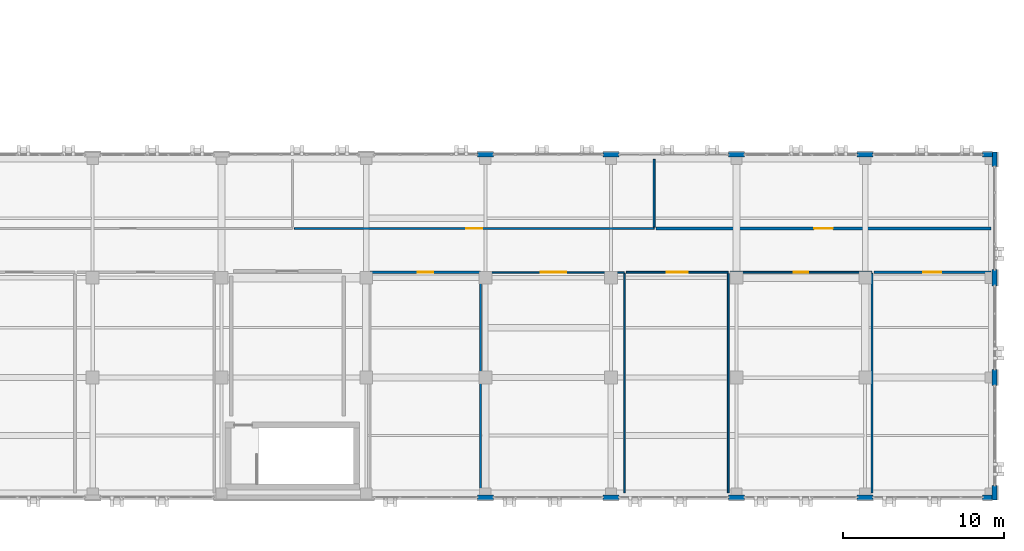
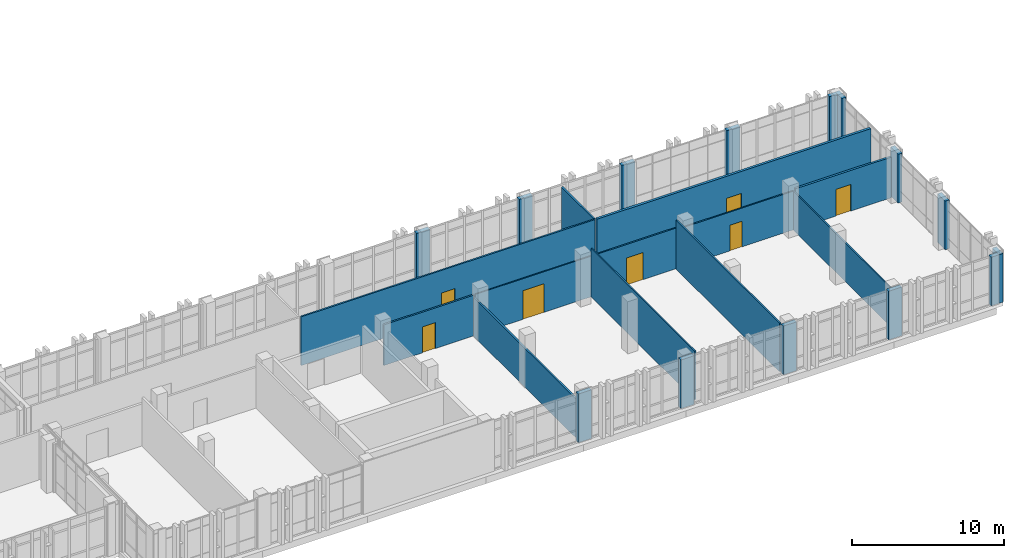
# One storey, part 162 of 193: 26 walls, 7 doors, 7 openings.
"""IFC4 building model written with IfcOpenShell, lengths in metres."""

from ifc_helpers import new_model, si_unit, direction, frame, frame_2d, origin, place, context, subcontext, project, spatial, rectangle, extrude, material, layer, layer_set, type_object, element, fill, save


model = new_model("IFC4")

# Units and contexts
model_context = context("Model", 3, precision=1e-05, world=origin(), true_north=direction((0.0, 1.0)))
body_context = subcontext(model_context, "Body", "Model", "MODEL_VIEW")
ifc_project = project(units=[si_unit("LENGTHUNIT", "METRE"), si_unit("AREAUNIT", "SQUARE_METRE"), si_unit("VOLUMEUNIT", "CUBIC_METRE"), si_unit("PLANEANGLEUNIT", "RADIAN"), si_unit("MASSUNIT", "GRAM", prefix="KILO")], contexts=[model_context])

# Site, building, storey
site_placement = place(None, origin())
site = spatial("IfcSite", under=ifc_project, at=site_placement, CompositionType="ELEMENT")
building_placement = place(site_placement, origin())
building = spatial("IfcBuilding", under=site, at=building_placement, Name="Qalavern Law Courts", CompositionType="ELEMENT")
storey_placement = place(building_placement, frame((0.0, 0.0, 10.199951171875)))
storey = spatial("IfcBuildingStorey", under=building, at=storey_placement, Name="L02", CompositionType="ELEMENT", Elevation=10.199951171875)

# Walls
ifc_material_1 = material(Name="Concrete C40/50", Category="concrete")
ifc_layer_1 = layer(ifc_material_1, 0.31005859375)
ifc_layer_set_1 = layer_set([ifc_layer_1], Name="Concrete C40/50")
wall_type_1 = type_object("IfcWallType", Name="ENV-EW-310", PredefinedType="SOLIDWALL", material=ifc_layer_set_1)
for number, where, z_axis, x_axis, name in (
    (1, (133.699951171875, 1.155029296875, 0.0), (0.0, 0.0, 1.0), (1.0, 0.0, 0.0), "V6 exterior pier wall L02 south 4"),
    (2, (141.5, 1.155029296875, 0.0), (0.0, 0.0, 1.0), (1.0, 0.0, 0.0), "V6 exterior pier wall L02 south 5"),
    (3, (149.300048828125, 1.155029296875, 0.0), (0.0, 0.0, 1.0), (1.0, 0.0, 0.0), "V6 exterior pier wall L02 south 6"),
    (4, (157.300048828125, 1.155029296875, 0.0), (0.0, 0.0, 1.0), (1.0, 0.0, 0.0), "V6 exterior pier wall L02 south 7"),
):
    element("IfcWall", number, at=place(storey_placement, frame(where, z_axis=z_axis, x_axis=x_axis)), inside=storey, type_object=wall_type_1, Name=name, PredefinedType="SOLIDWALL", context=body_context, shape_type="SweptSolid", body=[
        extrude(rectangle(XDim=1.0, YDim=0.31005859375, at=frame_2d((0.5, 0.0))), origin(), (0.0, 0.0, 1.0), 3.9150390625),
    ])
wall_1_placement = place(storey_placement, frame((165.10009765625, 1.155029296875, 0.0), z_axis=(0.0, 0.0, 1.0), x_axis=(1.0, 0.0, 0.0)))
element("IfcWall", 5, at=wall_1_placement, inside=storey, type_object=wall_type_1, Name="V6 exterior pier wall L02 south 8", PredefinedType="SOLIDWALL", context=body_context, shape_type="SweptSolid", body=[
    extrude(rectangle(XDim=0.594970703125, YDim=0.31005859375, at=frame_2d((0.29736328125, 0.0))), origin(), (0.0, 0.0, 1.0), 3.9150390625),
])
wall_2_placement = place(storey_placement, frame((165.844970703125, 1.0, 0.0), z_axis=(0.0, 0.0, 1.0), x_axis=(0.0, 1.0, 0.0)))
element("IfcWall", 6, at=wall_2_placement, inside=storey, type_object=wall_type_1, Name="V6 exterior pier wall L02 east 1", PredefinedType="SOLIDWALL", context=body_context, shape_type="SweptSolid", body=[
    extrude(rectangle(XDim=0.89990234375, YDim=0.31005859375, at=frame_2d((0.449951171875, 0.0))), origin(), (0.0, 0.0, 1.0), 3.9150390625),
])
for number, where, z_axis, x_axis, name in (
    (7, (165.844970703125, 8.10009765625, 0.0), (0.0, 0.0, 1.0), (0.0, 1.0, 0.0), "V6 exterior pier wall L02 east 2"),
    (8, (165.844970703125, 14.300048828125, 0.0), (0.0, 0.0, 1.0), (0.0, 1.0, 0.0), "V6 exterior pier wall L02 east 3"),
):
    element("IfcWall", number, at=place(storey_placement, frame(where, z_axis=z_axis, x_axis=x_axis)), inside=storey, type_object=wall_type_1, Name=name, PredefinedType="SOLIDWALL", context=body_context, shape_type="SweptSolid", body=[
        extrude(rectangle(XDim=1.0, YDim=0.31005859375, at=frame_2d((0.5, 0.0))), origin(), (0.0, 0.0, 1.0), 3.9150390625),
    ])
wall_3_placement = place(storey_placement, frame((165.844970703125, 21.699951171875, 0.0), z_axis=(0.0, 0.0, 1.0), x_axis=(0.0, 1.0, 0.0)))
element("IfcWall", 9, at=wall_3_placement, inside=storey, type_object=wall_type_1, Name="V6 exterior pier wall L02 east 4", PredefinedType="SOLIDWALL", context=body_context, shape_type="SweptSolid", body=[
    extrude(rectangle(XDim=0.900146484375, YDim=0.31005859375, at=frame_2d((0.4501953125, 0.0))), origin(), (0.0, 0.0, 1.0), 3.9150390625),
])
wall_4_placement = place(storey_placement, frame((165.695068359375, 22.445068359375, 0.0), z_axis=(0.0, 0.0, 1.0), x_axis=(-1.0, 0.0, 0.0)))
element("IfcWall", 10, at=wall_4_placement, inside=storey, type_object=wall_type_1, Name="V6 exterior pier wall L02 north 1", PredefinedType="SOLIDWALL", context=body_context, shape_type="SweptSolid", body=[
    extrude(rectangle(XDim=0.594970703125, YDim=0.31005859375, at=frame_2d((0.29736328125, 0.0))), origin(), (0.0, 0.0, 1.0), 3.9150390625),
])
for number, where, z_axis, x_axis, name in (
    (11, (158.300048828125, 22.445068359375, 0.0), (0.0, 0.0, 1.0), (-1.0, 0.0, 0.0), "V6 exterior pier wall L02 north 2"),
    (12, (150.300048828125, 22.445068359375, 0.0), (0.0, 0.0, 1.0), (-1.0, 0.0, 0.0), "V6 exterior pier wall L02 north 3"),
    (13, (142.5, 22.445068359375, 0.0), (0.0, 0.0, 1.0), (-1.0, 0.0, 0.0), "V6 exterior pier wall L02 north 4"),
    (14, (134.699951171875, 22.445068359375, 0.0), (0.0, 0.0, 1.0), (-1.0, 0.0, 0.0), "V6 exterior pier wall L02 north 5"),
):
    element("IfcWall", number, at=place(storey_placement, frame(where, z_axis=z_axis, x_axis=x_axis)), inside=storey, type_object=wall_type_1, Name=name, PredefinedType="SOLIDWALL", context=body_context, shape_type="SweptSolid", body=[
        extrude(rectangle(XDim=1.0, YDim=0.31005859375, at=frame_2d((0.5, 0.0))), origin(), (0.0, 0.0, 1.0), 3.9150390625),
    ])

# Wall, opening, door
ifc_material_2 = material(Name="Gypsum shaft/chase partition")
ifc_layer_2 = layer(ifc_material_2, 0.092041015625)
ifc_layer_set_2 = layer_set([ifc_layer_2], Name="Gypsum shaft/chase partition")
wall_type_2 = type_object("IfcWallType", Name="INT-PW-092", PredefinedType="PARTITIONING", material=ifc_layer_set_2)
wall_5_placement = place(storey_placement, frame((134.027099609375, 15.139892578125, 0.0), z_axis=(0.0, 0.0, 1.0), x_axis=(1.0, 0.0, 0.0)))
wall_5 = element("IfcWall", 15, at=wall_5_placement, inside=storey, type_object=wall_type_2, Name="Administrative Courtroom corridor partition L02", PredefinedType="PARTITIONING", context=body_context, shape_type="SweptSolid", body=[
    extrude(rectangle(XDim=8.809814453125, YDim=0.092041015625, at=frame_2d((4.40478515625, 0.0))), origin(), (0.0, 0.0, 1.0), 3.26806640625),
])
opening_1_placement = place(wall_5_placement, frame((3.60498046875, 0.0, 0.0)))
opening_1 = element("IfcOpeningElement", 16, at=opening_1_placement, cuts=wall_5, Name="Opening L02-D432", PredefinedType="OPENING", context=body_context, shape_type="SweptSolid", body=[
    extrude(rectangle(XDim=1.60009765625, YDim=2.300048828125, at=frame_2d((0.800048828125, 1.14990234375))), frame((0.0, 0.06103515625, 0.0), z_axis=(0.0, -1.0, 0.0), x_axis=(1.0, 0.0, 0.0)), (0.0, 0.0, 1.0), 0.121826171875),
])
ifc_material_3 = material(Name="Acoustic oak double Criminal Courtroom door")
door_type_1 = type_object("IfcDoorType", Name="INT-ID-1600x2300", OperationType="DOUBLE_DOOR_SINGLE_SWING", PredefinedType="DOOR", material=ifc_material_3)
door_1_placement = place(opening_1_placement, frame((1.60009765625, 0.0, 0.0), z_axis=(0.0, 0.0, 1.0), x_axis=(-1.0, 0.0, 0.0)))
door_1 = element("IfcDoor", 17, at=door_1_placement, inside=storey, type_object=door_type_1, Name="Administrative Courtroom door L02", OperationType="DOUBLE_DOOR_SINGLE_SWING", OverallHeight=2.300048828125, OverallWidth=1.60009765625, PredefinedType="DOOR", context=body_context, shape_type="SweptSolid", body=[
    extrude(rectangle(XDim=1.60009765625, YDim=2.300048828125, at=frame_2d((0.800048828125, 1.14990234375))), frame((0.0, 0.02490234375, 0.0), z_axis=(0.0, -1.0, 0.0), x_axis=(1.0, 0.0, 0.0)), (0.0, 0.0, 1.0), 0.050048828125),
])
fill(opening_1, door_1)

# Wall
wall_6_placement = place(storey_placement, frame((142.8369140625, 1.43994140625, 0.0), z_axis=(0.0, 0.0, 1.0), x_axis=(0.0, 1.0, 0.0)))
element("IfcWall", 18, at=wall_6_placement, inside=storey, type_object=wall_type_2, Name="Administrative Courtroom cross partition L02 east", PredefinedType="PARTITIONING", context=body_context, shape_type="SweptSolid", body=[
    extrude(rectangle(XDim=13.634033203125, YDim=0.092041015625, at=frame_2d((6.81689453125, 0.0))), origin(), (0.0, 0.0, 1.0), 3.9150390625),
])

# Wall, opening, door
ifc_material_4 = material(Name="Gypsum sanitary partition")
ifc_layer_3 = layer(ifc_material_4, 0.10205078125)
ifc_layer_set_3 = layer_set([ifc_layer_3], Name="Gypsum sanitary partition")
wall_type_3 = type_object("IfcWallType", Name="INT-PW-102", PredefinedType="PARTITIONING", material=ifc_layer_set_3)
wall_7_placement = place(storey_placement, frame((149.410888671875, 15.139892578125, 0.0), z_axis=(0.0, 0.0, 1.0), x_axis=(1.0, 0.0, 0.0)))
wall_7 = element("IfcWall", 19, at=wall_7_placement, inside=storey, type_object=wall_type_3, Name="Accessible WC corridor partition L02", PredefinedType="PARTITIONING", context=body_context, shape_type="SweptSolid", body=[
    extrude(rectangle(XDim=8.80908203125, YDim=0.10205078125, at=frame_2d((4.404541015625, 0.0))), origin(), (0.0, 0.0, 1.0), 3.1181640625),
])
opening_2_placement = place(wall_7_placement, frame((3.944580078125, 0.0, 0.0)))
opening_2 = element("IfcOpeningElement", 20, at=opening_2_placement, cuts=wall_7, Name="Opening L02-D434", PredefinedType="OPENING", context=body_context, shape_type="SweptSolid", body=[
    extrude(rectangle(XDim=0.919921875, YDim=2.06005859375, at=frame_2d((0.4599609375, 1.030029296875))), frame((0.0, 0.06591796875, 0.0), z_axis=(0.0, -1.0, 0.0), x_axis=(1.0, 0.0, 0.0)), (0.0, 0.0, 1.0), 0.1318359375),
])
ifc_material_5 = material(Name="Public and Staff WC door")
door_type_2 = type_object("IfcDoorType", Name="INT-ID-920x2060", OperationType="NOTDEFINED", PredefinedType="DOOR", material=ifc_material_5)
door_2_placement = place(opening_2_placement, frame((0.919921875, 0.0, 0.0), z_axis=(0.0, 0.0, 1.0), x_axis=(-1.0, 0.0, 0.0)))
door_2 = element("IfcDoor", 21, at=door_2_placement, inside=storey, type_object=door_type_2, Name="Accessible WC door L02", OperationType="SINGLE_SWING_RIGHT", OverallHeight=2.06005859375, OverallWidth=0.919921875, PredefinedType="DOOR", context=body_context, shape_type="SweptSolid", body=[
    extrude(rectangle(XDim=0.919921875, YDim=2.06005859375, at=frame_2d((0.4599609375, 1.030029296875))), frame((0.0, 0.02490234375, 0.0), z_axis=(0.0, -1.0, 0.0), x_axis=(1.0, 0.0, 0.0)), (0.0, 0.0, 1.0), 0.050048828125),
])
fill(opening_2, door_2)

# Wall
wall_8_placement = place(storey_placement, frame((158.219970703125, 1.43994140625, 0.0), z_axis=(0.0, 0.0, 1.0), x_axis=(0.0, 1.0, 0.0)))
element("IfcWall", 22, at=wall_8_placement, inside=storey, type_object=wall_type_3, Name="Accessible WC cross partition L02 east", PredefinedType="PARTITIONING", context=body_context, shape_type="SweptSolid", body=[
    extrude(rectangle(XDim=13.629150390625, YDim=0.10205078125, at=frame_2d((6.814453125, 0.0))), origin(), (0.0, 0.0, 1.0), 3.1181640625),
])

# Wall, opening, door
ifc_material_6 = material(Name="Gypsum stud partition")
ifc_layer_4 = layer(ifc_material_6, 0.112060546875)
ifc_layer_set_4 = layer_set([ifc_layer_4], Name="Gypsum stud partition")
wall_type_4 = type_object("IfcWallType", Name="INT-PW-112", PredefinedType="PARTITIONING", material=ifc_layer_set_4)
wall_9_placement = place(storey_placement, frame((142.95703125, 15.139892578125, 0.0), z_axis=(0.0, 0.0, 1.0), x_axis=(1.0, 0.0, 0.0)))
wall_9 = element("IfcWall", 23, at=wall_9_placement, inside=storey, type_object=wall_type_4, Name="Counsel Consultation Room corridor partition L02", PredefinedType="PARTITIONING", context=body_context, shape_type="SweptSolid", body=[
    extrude(rectangle(XDim=6.333984375, YDim=0.112060546875, at=frame_2d((3.1669921875, 0.0))), origin(), (0.0, 0.0, 1.0), 3.26806640625),
])
opening_3_placement = place(wall_9_placement, frame((2.527099609375, 0.0, 0.0)))
opening_3 = element("IfcOpeningElement", 24, at=opening_3_placement, cuts=wall_9, Name="Opening L02-D433", PredefinedType="OPENING", context=body_context, shape_type="SweptSolid", body=[
    extrude(rectangle(XDim=1.280029296875, YDim=2.179931640625, at=frame_2d((0.64013671875, 1.08984375))), frame((0.0, 0.07080078125, 0.0), z_axis=(0.0, -1.0, 0.0), x_axis=(1.0, 0.0, 0.0)), (0.0, 0.0, 1.0), 0.141845703125),
])
ifc_material_7 = material(Name="Wide oak Judicial Conference door")
door_type_3 = type_object("IfcDoorType", Name="INT-ID-1280x2180", OperationType="NOTDEFINED", PredefinedType="DOOR", material=ifc_material_7)
door_3_placement = place(opening_3_placement, frame((1.280029296875, 0.0, 0.0), z_axis=(0.0, 0.0, 1.0), x_axis=(-1.0, 0.0, 0.0)))
door_3 = element("IfcDoor", 25, at=door_3_placement, inside=storey, type_object=door_type_3, Name="Counsel Consultation Room door L02", OperationType="SINGLE_SWING_LEFT", OverallHeight=2.179931640625, OverallWidth=1.280029296875, PredefinedType="DOOR", context=body_context, shape_type="SweptSolid", body=[
    extrude(rectangle(XDim=1.280029296875, YDim=2.179931640625, at=frame_2d((0.64013671875, 1.08984375))), frame((0.0, 0.02490234375, 0.0), z_axis=(0.0, -1.0, 0.0), x_axis=(1.0, 0.0, 0.0)), (0.0, 0.0, 1.0), 0.050048828125),
])
fill(opening_3, door_3)

# Wall
wall_10_placement = place(storey_placement, frame((149.291015625, 1.43994140625, 0.0), z_axis=(0.0, 0.0, 1.0), x_axis=(0.0, 1.0, 0.0)))
element("IfcWall", 26, at=wall_10_placement, inside=storey, type_object=wall_type_4, Name="Counsel Consultation Room cross partition L02 east", PredefinedType="PARTITIONING", context=body_context, shape_type="SweptSolid", body=[
    extrude(rectangle(XDim=13.6240234375, YDim=0.112060546875, at=frame_2d((6.81201171875, 0.0))), origin(), (0.0, 0.0, 1.0), 3.9150390625),
])

# Wall, opening, door
ifc_layer_5 = layer(ifc_material_6, 0.1220703125)
ifc_layer_set_5 = layer_set([ifc_layer_5], Name="Gypsum stud partition")
wall_type_5 = type_object("IfcWallType", Name="INT-PW-122", PredefinedType="PARTITIONING", material=ifc_layer_set_5)
wall_11_placement = place(storey_placement, frame((122.327880859375, 17.860107421875, 0.0), z_axis=(0.0, 0.0, 1.0), x_axis=(1.0, 0.0, 0.0)))
wall_11 = element("IfcWall", 27, at=wall_11_placement, inside=storey, type_object=wall_type_5, Name="Family Mediation Suite corridor partition L02", PredefinedType="PARTITIONING", context=body_context, shape_type="SweptSolid", body=[
    extrude(rectangle(XDim=22.35107421875, YDim=0.1220703125, at=frame_2d((11.175537109375, 0.0))), origin(), (0.0, 0.0, 1.0), 3.9150390625),
])
opening_4_placement = place(wall_11_placement, frame((10.675537109375, 0.0, 0.0)))
opening_4 = element("IfcOpeningElement", 28, at=opening_4_placement, cuts=wall_11, Name="Opening L02-D439", PredefinedType="OPENING", context=body_context, shape_type="SweptSolid", body=[
    extrude(rectangle(XDim=1.0, YDim=2.10009765625, at=frame_2d((0.5, 1.050048828125))), frame((0.0, 0.075927734375, 0.0), z_axis=(0.0, -1.0, 0.0), x_axis=(1.0, 0.0, 0.0)), (0.0, 0.0, 1.0), 0.15185546875),
])
ifc_material_8 = material(Name="Timber Judicial Clerks' Office door", Category="wood")
door_type_4 = type_object("IfcDoorType", Name="INT-ID-1000x2100", OperationType="NOTDEFINED", PredefinedType="DOOR", material=ifc_material_8)
door_4_placement = place(opening_4_placement, origin())
door_4 = element("IfcDoor", 29, at=door_4_placement, inside=storey, type_object=door_type_4, Name="Family Mediation Suite door L02", OperationType="SINGLE_SWING_RIGHT", OverallHeight=2.10009765625, OverallWidth=1.0, PredefinedType="DOOR", context=body_context, shape_type="SweptSolid", body=[
    extrude(rectangle(XDim=1.0, YDim=2.10009765625, at=frame_2d((0.5, 1.050048828125))), frame((0.0, 0.02490234375, 0.0), z_axis=(0.0, -1.0, 0.0), x_axis=(1.0, 0.0, 0.0)), (0.0, 0.0, 1.0), 0.050048828125),
])
fill(opening_4, door_4)

# Wall
wall_12_placement = place(storey_placement, frame((144.678955078125, 17.94091796875, 0.0), z_axis=(0.0, 0.0, 1.0), x_axis=(0.0, 1.0, 0.0)))
element("IfcWall", 30, at=wall_12_placement, inside=storey, type_object=wall_type_5, Name="Family Mediation Suite cross partition L02 east", PredefinedType="PARTITIONING", context=body_context, shape_type="SweptSolid", body=[
    extrude(rectangle(XDim=4.218994140625, YDim=0.1220703125, at=frame_2d((2.109375, 0.0))), origin(), (0.0, 0.0, 1.0), 3.9150390625),
])

# Wall, opening, door
ifc_layer_6 = layer(ifc_material_6, 0.132080078125)
ifc_layer_set_6 = layer_set([ifc_layer_6], Name="Gypsum stud partition")
wall_type_6 = type_object("IfcWallType", Name="INT-PW-132", PredefinedType="PARTITIONING", material=ifc_layer_set_6)
wall_13_placement = place(storey_placement, frame((127.0400390625, 15.139892578125, 0.0), z_axis=(0.0, 0.0, 1.0), x_axis=(1.0, 0.0, 0.0)))
wall_13 = element("IfcWall", 31, at=wall_13_placement, inside=storey, type_object=wall_type_6, Name="Family Mediation Suite corridor partition L02", PredefinedType="PARTITIONING", context=body_context, shape_type="SweptSolid", body=[
    extrude(rectangle(XDim=6.866943359375, YDim=0.132080078125, at=frame_2d((3.43359375, 0.0))), origin(), (0.0, 0.0, 1.0), 3.26806640625),
])
opening_5_placement = place(wall_13_placement, frame((2.943603515625, 0.0, 0.0)))
opening_5 = element("IfcOpeningElement", 32, at=opening_5_placement, cuts=wall_13, Name="Opening L02-D431", PredefinedType="OPENING", context=body_context, shape_type="SweptSolid", body=[
    extrude(rectangle(XDim=0.97998046875, YDim=2.090087890625, at=frame_2d((0.489990234375, 1.044921875))), frame((0.0, 0.0810546875, 0.0), z_axis=(0.0, -1.0, 0.0), x_axis=(1.0, 0.0, 0.0)), (0.0, 0.0, 1.0), 0.161865234375),
])
ifc_material_9 = material(Name="Timber Legal Research Office door", Category="wood")
door_type_5 = type_object("IfcDoorType", Name="INT-ID-980x2090", OperationType="NOTDEFINED", PredefinedType="DOOR", material=ifc_material_9)
door_5_placement = place(opening_5_placement, frame((0.97998046875, 0.0, 0.0), z_axis=(0.0, 0.0, 1.0), x_axis=(-1.0, 0.0, 0.0)))
door_5 = element("IfcDoor", 33, at=door_5_placement, inside=storey, type_object=door_type_5, Name="Family Mediation Suite door L02", OperationType="SINGLE_SWING_RIGHT", OverallHeight=2.090087890625, OverallWidth=0.97998046875, PredefinedType="DOOR", context=body_context, shape_type="SweptSolid", body=[
    extrude(rectangle(XDim=0.97998046875, YDim=2.090087890625, at=frame_2d((0.489990234375, 1.044921875))), frame((0.0, 0.02490234375, 0.0), z_axis=(0.0, -1.0, 0.0), x_axis=(1.0, 0.0, 0.0)), (0.0, 0.0, 1.0), 0.050048828125),
])
fill(opening_5, door_5)

# Wall
wall_14_placement = place(storey_placement, frame((133.906982421875, 1.43994140625, 0.0), z_axis=(0.0, 0.0, 1.0), x_axis=(0.0, 1.0, 0.0)))
element("IfcWall", 34, at=wall_14_placement, inside=storey, type_object=wall_type_6, Name="Family Mediation Suite cross partition L02 east", PredefinedType="PARTITIONING", context=body_context, shape_type="SweptSolid", body=[
    extrude(rectangle(XDim=13.614013671875, YDim=0.132080078125, at=frame_2d((6.80712890625, 0.0))), origin(), (0.0, 0.0, 1.0), 3.1181640625),
])

# Wall, opening, door
ifc_layer_7 = layer(ifc_material_6, 0.162109375)
ifc_layer_set_7 = layer_set([ifc_layer_7], Name="Gypsum stud partition")
wall_type_7 = type_object("IfcWallType", Name="INT-PW-162", PredefinedType="PARTITIONING", material=ifc_layer_set_7)
wall_15_placement = place(storey_placement, frame((158.340087890625, 15.139892578125, 0.0), z_axis=(0.0, 0.0, 1.0), x_axis=(1.0, 0.0, 0.0)))
wall_15 = element("IfcWall", 35, at=wall_15_placement, inside=storey, type_object=wall_type_7, Name="Family Mediation Suite corridor partition L02", PredefinedType="PARTITIONING", context=body_context, shape_type="SweptSolid", body=[
    extrude(rectangle(XDim=7.280029296875, YDim=0.162109375, at=frame_2d((3.64013671875, 0.0))), origin(), (0.0, 0.0, 1.0), 3.26806640625),
])
opening_6_placement = place(wall_15_placement, frame((3.080078125, 0.0, 0.0)))
opening_6 = element("IfcOpeningElement", 36, at=opening_6_placement, cuts=wall_15, Name="Opening L02-D435", PredefinedType="OPENING", context=body_context, shape_type="SweptSolid", body=[
    extrude(rectangle(XDim=1.1201171875, YDim=2.139892578125, at=frame_2d((0.56005859375, 1.06982421875))), frame((0.0, 0.095947265625, 0.0), z_axis=(0.0, -1.0, 0.0), x_axis=(1.0, 0.0, 0.0)), (0.0, 0.0, 1.0), 0.19189453125),
])
ifc_material_10 = material(Name="Solid oak Appellate Chambers door")
door_type_6 = type_object("IfcDoorType", Name="INT-ID-1120x2140", OperationType="NOTDEFINED", PredefinedType="DOOR", material=ifc_material_10)
door_6_placement = place(opening_6_placement, frame((1.1201171875, 0.0, 0.0), z_axis=(0.0, 0.0, 1.0), x_axis=(-1.0, 0.0, 0.0)))
door_6 = element("IfcDoor", 37, at=door_6_placement, inside=storey, type_object=door_type_6, Name="Family Mediation Suite door L02", OperationType="SINGLE_SWING_LEFT", OverallHeight=2.139892578125, OverallWidth=1.1201171875, PredefinedType="DOOR", context=body_context, shape_type="SweptSolid", body=[
    extrude(rectangle(XDim=1.1201171875, YDim=2.139892578125, at=frame_2d((0.56005859375, 1.06982421875))), frame((0.0, 0.02490234375, 0.0), z_axis=(0.0, -1.0, 0.0), x_axis=(1.0, 0.0, 0.0)), (0.0, 0.0, 1.0), 0.050048828125),
])
fill(opening_6, door_6)

ifc_material_11 = material(Name="Gypsum acoustic stud partition")
ifc_layer_8 = layer(ifc_material_11, 0.18603515625)
ifc_layer_set_8 = layer_set([ifc_layer_8], Name="Gypsum acoustic stud partition")
wall_type_8 = type_object("IfcWallType", Name="INT-PW-186", PredefinedType="PARTITIONING", material=ifc_layer_set_8)
wall_16_placement = place(storey_placement, frame((144.799072265625, 17.860107421875, 0.0), z_axis=(0.0, 0.0, 1.0), x_axis=(1.0, 0.0, 0.0)))
wall_16 = element("IfcWall", 38, at=wall_16_placement, inside=storey, type_object=wall_type_8, Name="Administrative Courtroom corridor partition L02", PredefinedType="PARTITIONING", context=body_context, shape_type="SweptSolid", body=[
    extrude(rectangle(XDim=20.821044921875, YDim=0.18603515625, at=frame_2d((10.41064453125, 0.0))), origin(), (0.0, 0.0, 1.0), 3.9150390625),
])
opening_7_placement = place(wall_16_placement, frame((9.83544921875, 0.0, 0.0)))
opening_7 = element("IfcOpeningElement", 39, at=opening_7_placement, cuts=wall_16, Name="Opening L02-D440", PredefinedType="OPENING", context=body_context, shape_type="SweptSolid", body=[
    extrude(rectangle(XDim=1.14990234375, YDim=2.14990234375, at=frame_2d((0.574951171875, 1.074951171875))), frame((0.0, 0.10791015625, 0.0), z_axis=(0.0, -1.0, 0.0), x_axis=(1.0, 0.0, 0.0)), (0.0, 0.0, 1.0), 0.2158203125),
])
ifc_material_12 = material(Name="Acoustic oak Witness Waiting door")
door_type_7 = type_object("IfcDoorType", Name="INT-ID-1150x2150", OperationType="NOTDEFINED", PredefinedType="DOOR", material=ifc_material_12)
door_7_placement = place(opening_7_placement, origin())
door_7 = element("IfcDoor", 40, at=door_7_placement, inside=storey, type_object=door_type_7, Name="Administrative Courtroom door L02", OperationType="SINGLE_SWING_LEFT", OverallHeight=2.14990234375, OverallWidth=1.14990234375, PredefinedType="DOOR", context=body_context, shape_type="SweptSolid", body=[
    extrude(rectangle(XDim=1.14990234375, YDim=2.14990234375, at=frame_2d((0.574951171875, 1.074951171875))), frame((0.0, 0.02490234375, 0.0), z_axis=(0.0, -1.0, 0.0), x_axis=(1.0, 0.0, 0.0)), (0.0, 0.0, 1.0), 0.050048828125),
])
fill(opening_7, door_7)

save(model, "model.ifc")
